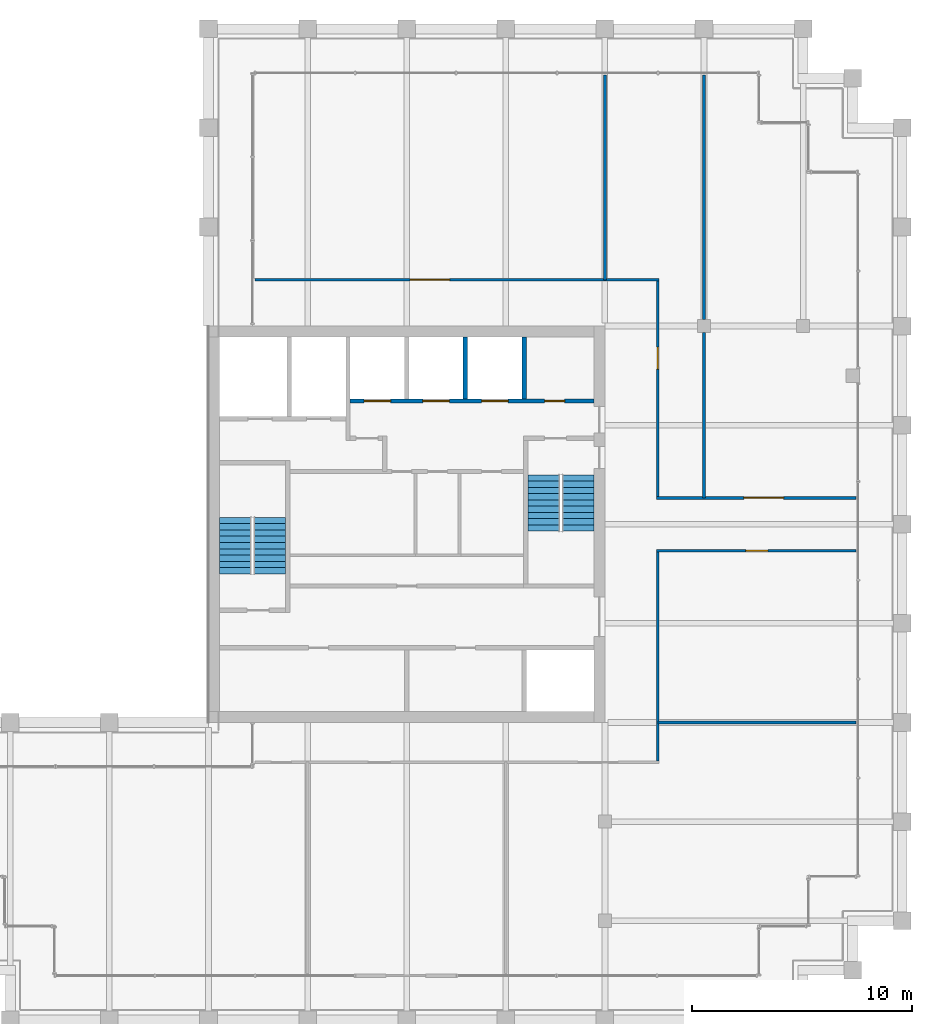
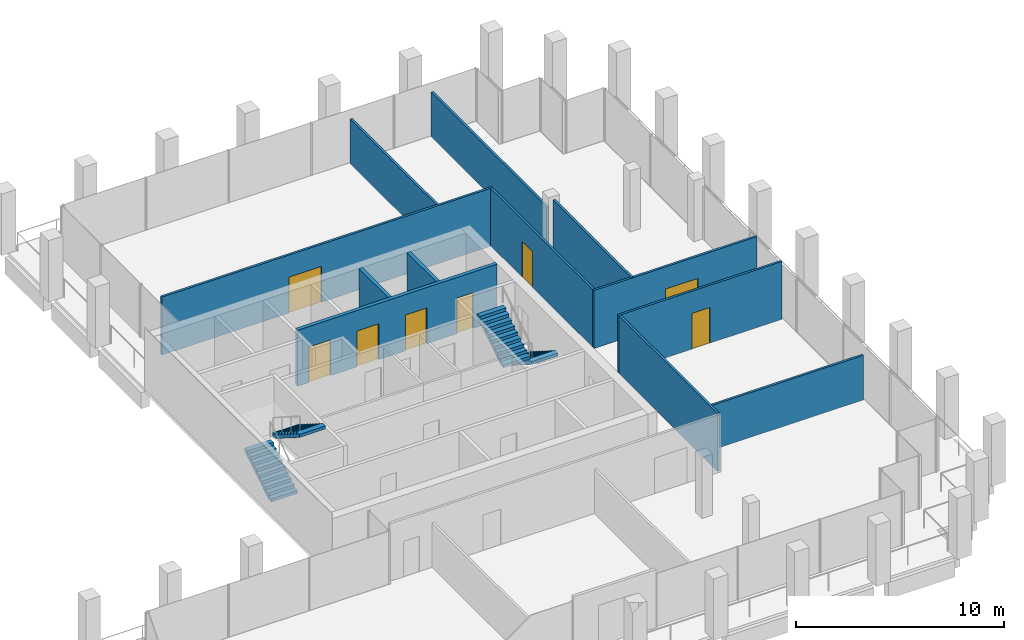
# One storey, part 29 of 30: 12 walls, 8 doors, 4 stair flights, 8 openings, 2 elements without a shape of their own.
"""IFC4 building model written with IfcOpenShell, lengths in metres."""

from ifc_helpers import new_model, si_unit, direction, frame, frame_2d, origin, place, context, subcontext, project, spatial, polyline, rectangle, outline, extrude, material, layer, layer_set, type_object, element, fill, aggregate, save


model = new_model("IFC4")

# Units and contexts
model_context = context("Model", 3, precision=1e-05, world=origin(), true_north=direction((0.0, 1.0)))
body_context = subcontext(model_context, "Body", "Model", "MODEL_VIEW")
ifc_project = project(units=[si_unit("LENGTHUNIT", "METRE"), si_unit("AREAUNIT", "SQUARE_METRE"), si_unit("VOLUMEUNIT", "CUBIC_METRE"), si_unit("PLANEANGLEUNIT", "RADIAN"), si_unit("MASSUNIT", "GRAM", prefix="KILO")], contexts=[model_context])

# Site, building, storey
site_placement = place(None, origin())
site = spatial("IfcSite", under=ifc_project, at=site_placement, CompositionType="ELEMENT")
building_placement = place(site_placement, origin())
building = spatial("IfcBuilding", under=site, at=building_placement, Name="Altepetl Exchange Towers", CompositionType="ELEMENT")
storey_placement = place(building_placement, frame((0.0, 0.0, 242.39990234375)))
storey = spatial("IfcBuildingStorey", under=building, at=storey_placement, Name="L62", CompositionType="ELEMENT", Elevation=242.39990234375)

# Wall
ifc_material_1 = material(Name="Gypsum board on steel studs", Category="steel")
ifc_layer_1 = layer(ifc_material_1, 0.125)
ifc_layer_set_1 = layer_set([ifc_layer_1], Name="Gypsum board on steel studs")
wall_type_1 = type_object("IfcWallType", Name="Partition 125 gypsum board on steel studs", PredefinedType="PARTITIONING", material=ifc_layer_set_1)
wall_1_placement = place(storey_placement, frame((60.89990234375, 40.5, 0.0)))
element("IfcWall", 1, at=wall_1_placement, inside=storey, type_object=wall_type_1, Name="wall:A:L62:P02", PredefinedType="PARTITIONING", context=body_context, shape_type="SweptSolid", body=[
    extrude(rectangle(XDim=9.0, YDim=0.125, at=frame_2d((4.5, 0.0))), origin(), (0.0, 0.0, 1.0), 2.6259765625),
])

# Wall, opening, door
wall_2_placement = place(storey_placement, frame((60.83740234375, 48.300048828125, 0.0)))
wall_2 = element("IfcWall", 2, at=wall_2_placement, inside=storey, type_object=wall_type_1, Name="wall:A:L62:P03", PredefinedType="PARTITIONING", context=body_context, shape_type="SweptSolid", body=[
    extrude(rectangle(XDim=9.0625, YDim=0.125, at=frame_2d((4.53125, 0.0))), origin(), (0.0, 0.0, 1.0), 3.400146484375),
])
opening_1_placement = place(wall_2_placement, frame((4.0625, 0.0, 0.0)))
opening_1 = element("IfcOpeningElement", 3, at=opening_1_placement, cuts=wall_2, Name="Opening L62.A04", PredefinedType="OPENING", context=body_context, shape_type="SweptSolid", body=[
    extrude(rectangle(XDim=1.0, YDim=2.10009765625, at=frame_2d((0.5, 1.050048828125))), frame((0.0, 0.072509765625, 0.0), z_axis=(0.0, -1.0, 0.0), x_axis=(1.0, 0.0, 0.0)), (0.0, 0.0, 1.0), 0.14501953125),
])
ifc_material_2 = material(Name="Steel and timber fire door", Category="steel")
door_type_1 = type_object("IfcDoorType", Name="Fire door 1000 x 2100 single leaf", OperationType="SINGLE_SWING_LEFT", PredefinedType="DOOR", material=ifc_material_2)
door_1_placement = place(opening_1_placement, frame((1.0, 0.0, 0.0), x_axis=(-1.0, 0.0, 0.0)))
door_1 = element("IfcDoor", 4, at=door_1_placement, inside=storey, type_object=door_type_1, Name="door:A:L62:04", OperationType="SINGLE_SWING_RIGHT", OverallHeight=2.10009765625, OverallWidth=1.0, PredefinedType="DOOR", context=body_context, shape_type="SweptSolid", body=[
    extrude(rectangle(XDim=1.0, YDim=2.10009765625, at=frame_2d((0.5, 1.050048828125))), frame((0.0, 0.02490234375, 0.0), z_axis=(0.0, -1.0, 0.0), x_axis=(1.0, 0.0, 0.0)), (0.0, 0.0, 1.0), 0.050048828125),
])
fill(opening_1, door_1)

wall_3_placement = place(storey_placement, frame((60.83740234375, 50.699951171875, 0.0)))
wall_3 = element("IfcWall", 5, at=wall_3_placement, inside=storey, type_object=wall_type_1, Name="wall:A:L62:P04", PredefinedType="PARTITIONING", context=body_context, shape_type="SweptSolid", body=[
    extrude(rectangle(XDim=9.0625, YDim=0.125, at=frame_2d((4.53125, 0.0))), origin(), (0.0, 0.0, 1.0), 3.400146484375),
])
opening_2_placement = place(wall_3_placement, frame((3.9775390625, 0.0, 0.0)))
opening_2 = element("IfcOpeningElement", 6, at=opening_2_placement, cuts=wall_3, Name="Opening L62.A05", PredefinedType="OPENING", context=body_context, shape_type="SweptSolid", body=[
    extrude(rectangle(XDim=1.800048828125, YDim=2.10009765625, at=frame_2d((0.89990234375, 1.050048828125))), frame((0.0, 0.072509765625, 0.0), z_axis=(0.0, -1.0, 0.0), x_axis=(1.0, 0.0, 0.0)), (0.0, 0.0, 1.0), 0.14501953125),
])
door_type_2 = type_object("IfcDoorType", Name="Fire door 1800 x 2100 double leaf", OperationType="DOUBLE_DOOR_SINGLE_SWING", PredefinedType="DOOR", material=ifc_material_2)
door_2_placement = place(opening_2_placement, origin())
door_2 = element("IfcDoor", 7, at=door_2_placement, inside=storey, type_object=door_type_2, Name="door:A:L62:05", OperationType="DOUBLE_DOOR_SINGLE_SWING", OverallHeight=2.10009765625, OverallWidth=1.800048828125, PredefinedType="DOOR", context=body_context, shape_type="SweptSolid", body=[
    extrude(rectangle(XDim=1.800048828125, YDim=2.10009765625, at=frame_2d((0.89990234375, 1.050048828125))), frame((0.0, 0.02490234375, 0.0), z_axis=(0.0, -1.0, 0.0), x_axis=(1.0, 0.0, 0.0)), (0.0, 0.0, 1.0), 0.050048828125),
])
fill(opening_2, door_2)

wall_4_placement = place(storey_placement, frame((42.60009765625, 60.60009765625, 0.0)))
wall_4 = element("IfcWall", 8, at=wall_4_placement, inside=storey, type_object=wall_type_1, Name="wall:A:L62:P05", PredefinedType="PARTITIONING", context=body_context, shape_type="SweptSolid", body=[
    extrude(rectangle(XDim=18.3623046875, YDim=0.125, at=frame_2d((9.18115234375, 0.0))), origin(), (0.0, 0.0, 1.0), 3.400146484375),
])
opening_3_placement = place(wall_4_placement, frame((7.050048828125, 0.0, 0.0)))
opening_3 = element("IfcOpeningElement", 9, at=opening_3_placement, cuts=wall_4, Name="Opening L62.A07", PredefinedType="OPENING", context=body_context, shape_type="SweptSolid", body=[
    extrude(rectangle(XDim=1.800048828125, YDim=2.10009765625, at=frame_2d((0.89990234375, 1.050048828125))), frame((0.0, 0.072509765625, 0.0), z_axis=(0.0, -1.0, 0.0), x_axis=(1.0, 0.0, 0.0)), (0.0, 0.0, 1.0), 0.14501953125),
])
door_3_placement = place(opening_3_placement, origin())
door_3 = element("IfcDoor", 10, at=door_3_placement, inside=storey, type_object=door_type_2, Name="door:A:L62:07", OperationType="DOUBLE_DOOR_SINGLE_SWING", OverallHeight=2.10009765625, OverallWidth=1.800048828125, PredefinedType="DOOR", context=body_context, shape_type="SweptSolid", body=[
    extrude(rectangle(XDim=1.800048828125, YDim=2.10009765625, at=frame_2d((0.89990234375, 1.050048828125))), frame((0.0, 0.02490234375, 0.0), z_axis=(0.0, -1.0, 0.0), x_axis=(1.0, 0.0, 0.0)), (0.0, 0.0, 1.0), 0.050048828125),
])
fill(opening_3, door_3)

# Walls
wall_5_placement = place(storey_placement, frame((58.5, 60.60009765625, 0.0), z_axis=(0.0, 0.0, 1.0), x_axis=(0.0, 1.0, 0.0)))
element("IfcWall", 11, at=wall_5_placement, inside=storey, type_object=wall_type_1, Name="wall:A:L62:P08", PredefinedType="PARTITIONING", context=body_context, shape_type="SweptSolid", body=[
    extrude(rectangle(XDim=9.2998046875, YDim=0.125, at=frame_2d((4.64990234375, 0.0))), origin(), (0.0, 0.0, 1.0), 2.6259765625),
])
wall_6_placement = place(storey_placement, frame((60.89990234375, 38.762451171875, 0.0), z_axis=(0.0, 0.0, 1.0), x_axis=(0.0, 1.0, 0.0)))
element("IfcWall", 12, at=wall_6_placement, inside=storey, type_object=wall_type_1, Name="wall:A:L62:P09", PredefinedType="PARTITIONING", context=body_context, shape_type="SweptSolid", body=[
    extrude(rectangle(XDim=9.47509765625, YDim=0.125, at=frame_2d((4.737548828125, 0.0))), origin(), (0.0, 0.0, 1.0), 3.400146484375),
])

# Wall, opening, door
wall_7_placement = place(storey_placement, frame((60.89990234375, 50.762451171875, 0.0), z_axis=(0.0, 0.0, 1.0), x_axis=(0.0, 1.0, 0.0)))
wall_7 = element("IfcWall", 13, at=wall_7_placement, inside=storey, type_object=wall_type_1, Name="wall:A:L62:P10", PredefinedType="PARTITIONING", context=body_context, shape_type="SweptSolid", body=[
    extrude(rectangle(XDim=9.775146484375, YDim=0.125, at=frame_2d((4.8876953125, 0.0))), origin(), (0.0, 0.0, 1.0), 3.400146484375),
])
opening_4_placement = place(wall_7_placement, frame((5.78759765625, 0.0, 0.0)))
opening_4 = element("IfcOpeningElement", 14, at=opening_4_placement, cuts=wall_7, Name="Opening L62.A06", PredefinedType="OPENING", context=body_context, shape_type="SweptSolid", body=[
    extrude(rectangle(XDim=1.0, YDim=2.10009765625, at=frame_2d((0.5, 1.050048828125))), frame((0.0, 0.072509765625, 0.0), z_axis=(0.0, -1.0, 0.0), x_axis=(1.0, 0.0, 0.0)), (0.0, 0.0, 1.0), 0.14501953125),
])
door_4_placement = place(opening_4_placement, frame((1.0, 0.0, 0.0), x_axis=(-1.0, 0.0, 0.0)))
door_4 = element("IfcDoor", 15, at=door_4_placement, inside=storey, type_object=door_type_1, Name="door:A:L62:06", OperationType="SINGLE_SWING_LEFT", OverallHeight=2.10009765625, OverallWidth=1.0, PredefinedType="DOOR", context=body_context, shape_type="SweptSolid", body=[
    extrude(rectangle(XDim=1.0, YDim=2.10009765625, at=frame_2d((0.5, 1.050048828125))), frame((0.0, 0.02490234375, 0.0), z_axis=(0.0, -1.0, 0.0), x_axis=(1.0, 0.0, 0.0)), (0.0, 0.0, 1.0), 0.050048828125),
])
fill(opening_4, door_4)

# Walls
wall_8_placement = place(storey_placement, frame((63.0, 50.699951171875, 0.0), z_axis=(0.0, 0.0, 1.0), x_axis=(0.0, 1.0, 0.0)))
element("IfcWall", 16, at=wall_8_placement, inside=storey, type_object=wall_type_1, Name="wall:A:L62:P11", PredefinedType="PARTITIONING", context=body_context, shape_type="SweptSolid", body=[
    extrude(rectangle(XDim=7.5, YDim=0.125, at=frame_2d((3.75, 0.0))), origin(), (0.0, 0.0, 1.0), 3.400146484375),
])
wall_9_placement = place(storey_placement, frame((63.0, 58.800048828125, 0.0), z_axis=(0.0, 0.0, 1.0), x_axis=(0.0, 1.0, 0.0)))
element("IfcWall", 17, at=wall_9_placement, inside=storey, type_object=wall_type_1, Name="wall:A:L62:P12", PredefinedType="PARTITIONING", context=body_context, shape_type="SweptSolid", body=[
    extrude(rectangle(XDim=11.099853515625, YDim=0.125, at=frame_2d((5.5498046875, 0.0))), origin(), (0.0, 0.0, 1.0), 2.6259765625),
])
ifc_material_3 = material(Name="Concrete C40/50", Category="concrete")
ifc_layer_2 = layer(ifc_material_3, 0.199951171875)
ifc_layer_set_2 = layer_set([ifc_layer_2], Name="Concrete C40/50")
wall_type_2 = type_object("IfcWallType", Name="Shaft wall 200 reinforced concrete", PredefinedType="SHEAR", material=ifc_layer_set_2)
for number, where, z_axis, x_axis, name in (
    (18, (52.166748046875, 58.0, 0.0), (0.0, 0.0, 1.0), (0.0, -1.0, 0.0), "wall:A:L62:K-divN4"),
    (19, (54.833251953125, 58.0, 0.0), (0.0, 0.0, 1.0), (0.0, -1.0, 0.0), "wall:A:L62:K-divN5"),
):
    element("IfcWall", number, at=place(storey_placement, frame(where, z_axis=z_axis, x_axis=x_axis)), inside=storey, type_object=wall_type_2, Name=name, PredefinedType="SHEAR", context=body_context, shape_type="SweptSolid", body=[
        extrude(rectangle(XDim=2.800048828125, YDim=0.199951171875, at=frame_2d((1.39990234375, 0.0))), origin(), (0.0, 0.0, 1.0), 3.300048828125),
    ])

# Wall, openings, doors
wall_10_placement = place(storey_placement, frame((46.933349609375, 55.10009765625, 0.0)))
wall_10 = element("IfcWall", 20, at=wall_10_placement, inside=storey, type_object=wall_type_2, Name="wall:A:L62:K-frontNb", PredefinedType="SHEAR", context=body_context, shape_type="SweptSolid", body=[
    extrude(rectangle(XDim=11.066650390625, YDim=0.199951171875, at=frame_2d((5.533203125, 0.0))), origin(), (0.0, 0.0, 1.0), 3.300048828125),
])
opening_5_placement = place(wall_10_placement, frame((8.83349609375, 0.0, 0.0)))
opening_5 = element("IfcOpeningElement", 21, at=opening_5_placement, cuts=wall_10, Name="Opening L62.A66", PredefinedType="OPENING", context=body_context, shape_type="SweptSolid", body=[
    extrude(rectangle(XDim=0.89990234375, YDim=2.10009765625, at=frame_2d((0.449951171875, 1.050048828125))), frame((0.0, 0.10986328125, 0.0), z_axis=(0.0, -1.0, 0.0), x_axis=(1.0, 0.0, 0.0)), (0.0, 0.0, 1.0), 0.219970703125),
])
opening_6_placement = place(wall_10_placement, frame((0.63330078125, 0.0, 0.0)))
opening_6 = element("IfcOpeningElement", 22, at=opening_6_placement, cuts=wall_10, Name="Opening L62.A75", PredefinedType="OPENING", context=body_context, shape_type="SweptSolid", body=[
    extrude(rectangle(XDim=1.199951171875, YDim=2.10009765625, at=frame_2d((0.60009765625, 1.050048828125))), frame((0.0, 0.10986328125, 0.0), z_axis=(0.0, -1.0, 0.0), x_axis=(1.0, 0.0, 0.0)), (0.0, 0.0, 1.0), 0.219970703125),
])
opening_7_placement = place(wall_10_placement, frame((3.300048828125, 0.0, 0.0)))
opening_7 = element("IfcOpeningElement", 23, at=opening_7_placement, cuts=wall_10, Name="Opening L62.A76", PredefinedType="OPENING", context=body_context, shape_type="SweptSolid", body=[
    extrude(rectangle(XDim=1.199951171875, YDim=2.10009765625, at=frame_2d((0.60009765625, 1.050048828125))), frame((0.0, 0.10986328125, 0.0), z_axis=(0.0, -1.0, 0.0), x_axis=(1.0, 0.0, 0.0)), (0.0, 0.0, 1.0), 0.219970703125),
])
opening_8_placement = place(wall_10_placement, frame((5.966796875, 0.0, 0.0)))
opening_8 = element("IfcOpeningElement", 24, at=opening_8_placement, cuts=wall_10, Name="Opening L62.A77", PredefinedType="OPENING", context=body_context, shape_type="SweptSolid", body=[
    extrude(rectangle(XDim=1.199951171875, YDim=2.10009765625, at=frame_2d((0.60009765625, 1.050048828125))), frame((0.0, 0.10986328125, 0.0), z_axis=(0.0, -1.0, 0.0), x_axis=(1.0, 0.0, 0.0)), (0.0, 0.0, 1.0), 0.219970703125),
])
door_type_3 = type_object("IfcDoorType", Name="Fire door 900 x 2100 service room", OperationType="SINGLE_SWING_LEFT", PredefinedType="DOOR", material=ifc_material_2)
door_5_placement = place(opening_5_placement, origin())
door_5 = element("IfcDoor", 25, at=door_5_placement, inside=storey, type_object=door_type_3, Name="door:A:L62:K-driser", OperationType="SINGLE_SWING_RIGHT", OverallHeight=2.10009765625, OverallWidth=0.89990234375, PredefinedType="DOOR", context=body_context, shape_type="SweptSolid", body=[
    extrude(rectangle(XDim=0.89990234375, YDim=2.10009765625, at=frame_2d((0.449951171875, 1.050048828125))), frame((0.0, 0.02490234375, 0.0), z_axis=(0.0, -1.0, 0.0), x_axis=(1.0, 0.0, 0.0)), (0.0, 0.0, 1.0), 0.050048828125),
])
fill(opening_5, door_5)
ifc_material_4 = material(Name="Stainless steel", Category="steel")
door_type_4 = type_object("IfcDoorType", Name="Lift landing door 1200 x 2100", OperationType="SLIDING_TO_LEFT", PredefinedType="DOOR", material=ifc_material_4)
door_6_placement = place(opening_6_placement, origin())
door_6 = element("IfcDoor", 26, at=door_6_placement, inside=storey, type_object=door_type_4, Name="Landing door P5", OperationType="SLIDING_TO_LEFT", OverallHeight=2.10009765625, OverallWidth=1.199951171875, PredefinedType="DOOR", context=body_context, shape_type="SweptSolid", body=[
    extrude(rectangle(XDim=1.199951171875, YDim=2.10009765625, at=frame_2d((0.60009765625, 1.050048828125))), frame((0.0, 0.02490234375, 0.0), z_axis=(0.0, -1.0, 0.0), x_axis=(1.0, 0.0, 0.0)), (0.0, 0.0, 1.0), 0.050048828125),
])
fill(opening_6, door_6)
door_7_placement = place(opening_7_placement, origin())
door_7 = element("IfcDoor", 27, at=door_7_placement, inside=storey, type_object=door_type_4, Name="Landing door P6", OperationType="SLIDING_TO_LEFT", OverallHeight=2.10009765625, OverallWidth=1.199951171875, PredefinedType="DOOR", context=body_context, shape_type="SweptSolid", body=[
    extrude(rectangle(XDim=1.199951171875, YDim=2.10009765625, at=frame_2d((0.60009765625, 1.050048828125))), frame((0.0, 0.02490234375, 0.0), z_axis=(0.0, -1.0, 0.0), x_axis=(1.0, 0.0, 0.0)), (0.0, 0.0, 1.0), 0.050048828125),
])
fill(opening_7, door_7)
door_8_placement = place(opening_8_placement, origin())
door_8 = element("IfcDoor", 28, at=door_8_placement, inside=storey, type_object=door_type_4, Name="Landing door P7", OperationType="SLIDING_TO_LEFT", OverallHeight=2.10009765625, OverallWidth=1.199951171875, PredefinedType="DOOR", context=body_context, shape_type="SweptSolid", body=[
    extrude(rectangle(XDim=1.199951171875, YDim=2.10009765625, at=frame_2d((0.60009765625, 1.050048828125))), frame((0.0, 0.02490234375, 0.0), z_axis=(0.0, -1.0, 0.0), x_axis=(1.0, 0.0, 0.0)), (0.0, 0.0, 1.0), 0.050048828125),
])
fill(opening_8, door_8)

# Stair, stair flights
stair_type = type_object("IfcStairType", Name="Exit stair 1450 flights dogleg", PredefinedType="HALF_TURN_STAIR", material=ifc_material_3)
stair_1_placement = place(storey_placement, origin())
stair_1 = element("IfcStair", 29, at=stair_1_placement, inside=storey, type_object=stair_type, Name="Exit stair 1", PredefinedType="HALF_TURN_STAIR")
stair_flight_type = type_object("IfcStairFlightType", Name="Stair flight 1450 wide", PredefinedType="STRAIGHT", material=ifc_material_3)
stair_flight_1_placement = place(storey_placement, frame((41.72509765625, 47.25, 0.0), z_axis=(0.0, 0.0, 1.0), x_axis=(0.0, 1.0, 0.0)))
stair_flight_1 = element("IfcStairFlight", 30, at=stair_flight_1_placement, type_object=stair_flight_type, Name="ST-A1f flight 1", NumberOfRisers=10, NumberOfTreads=9, PredefinedType="STRAIGHT", RiserHeight=0.18, TreadLength=0.285, context=body_context, shape_type="SweptSolid", body=[
    extrude(outline(polyline([(0.0, 0.0), (0.0, 0.179931640625), (0.284912109375, 0.179931640625), (0.284912109375, 0.360107421875), (0.570068359375, 0.360107421875), (0.570068359375, 0.5400390625), (0.85498046875, 0.5400390625), (0.85498046875, 0.719970703125), (1.139892578125, 0.719970703125), (1.139892578125, 0.89990234375), (1.425048828125, 0.89990234375), (1.425048828125, 1.080078125), (1.7099609375, 1.080078125), (1.7099609375, 1.260009765625), (1.9951171875, 1.260009765625), (1.9951171875, 1.43994140625), (2.280029296875, 1.43994140625), (2.280029296875, 1.6201171875), (2.56494140625, 1.6201171875), (2.56494140625, 1.800048828125), (2.56494140625, 1.442626953125), (0.28076171875, 0.0), (0.0, 0.0)])), frame((0.0, 0.72509765625, 0.0), z_axis=(0.0, -1.0, 0.0), x_axis=(1.0, 0.0, 0.0)), (0.0, 0.0, 1.0), 1.449951171875),
])
stair_flight_2_placement = place(storey_placement, frame((43.27490234375, 49.81494140625, 1.800048828125), z_axis=(0.0, 0.0, 1.0), x_axis=(0.0, -1.0, 0.0)))
stair_flight_2 = element("IfcStairFlight", 31, at=stair_flight_2_placement, type_object=stair_flight_type, Name="ST-A1f flight 2", NumberOfRisers=10, NumberOfTreads=9, PredefinedType="STRAIGHT", RiserHeight=0.18, TreadLength=0.285, context=body_context, shape_type="SweptSolid", body=[
    extrude(outline(polyline([(0.0, 0.0), (0.0, 0.179931640625), (0.284912109375, 0.179931640625), (0.284912109375, 0.360107421875), (0.570068359375, 0.360107421875), (0.570068359375, 0.5400390625), (0.85498046875, 0.5400390625), (0.85498046875, 0.719970703125), (1.139892578125, 0.719970703125), (1.139892578125, 0.89990234375), (1.425048828125, 0.89990234375), (1.425048828125, 1.080078125), (1.7099609375, 1.080078125), (1.7099609375, 1.260009765625), (1.9951171875, 1.260009765625), (1.9951171875, 1.43994140625), (2.280029296875, 1.43994140625), (2.280029296875, 1.6201171875), (2.56494140625, 1.6201171875), (2.56494140625, 1.800048828125), (2.56494140625, 1.442626953125), (0.28076171875, 0.0), (0.0, 0.0)])), frame((0.0, 0.72509765625, 0.0), z_axis=(0.0, -1.0, 0.0), x_axis=(1.0, 0.0, 0.0)), (0.0, 0.0, 1.0), 1.449951171875),
])
aggregate(stair_1, [stair_flight_1, stair_flight_2])

stair_2_placement = place(storey_placement, origin())
stair_2 = element("IfcStair", 32, at=stair_2_placement, inside=storey, type_object=stair_type, Name="Exit stair 2", PredefinedType="HALF_TURN_STAIR")
stair_flight_3_placement = place(storey_placement, frame((57.27490234375, 51.75, 0.0), z_axis=(0.0, 0.0, 1.0), x_axis=(0.0, -1.0, 0.0)))
stair_flight_3 = element("IfcStairFlight", 33, at=stair_flight_3_placement, type_object=stair_flight_type, Name="ST-A2f flight 1", NumberOfRisers=10, NumberOfTreads=9, PredefinedType="STRAIGHT", RiserHeight=0.18, TreadLength=0.285, context=body_context, shape_type="SweptSolid", body=[
    extrude(outline(polyline([(0.0, 0.0), (0.0, 0.179931640625), (0.284912109375, 0.179931640625), (0.284912109375, 0.360107421875), (0.570068359375, 0.360107421875), (0.570068359375, 0.5400390625), (0.85498046875, 0.5400390625), (0.85498046875, 0.719970703125), (1.139892578125, 0.719970703125), (1.139892578125, 0.89990234375), (1.425048828125, 0.89990234375), (1.425048828125, 1.080078125), (1.7099609375, 1.080078125), (1.7099609375, 1.260009765625), (1.9951171875, 1.260009765625), (1.9951171875, 1.43994140625), (2.280029296875, 1.43994140625), (2.280029296875, 1.6201171875), (2.56494140625, 1.6201171875), (2.56494140625, 1.800048828125), (2.56494140625, 1.442626953125), (0.28076171875, 0.0), (0.0, 0.0)])), frame((0.0, 0.72509765625, 0.0), z_axis=(0.0, -1.0, 0.0), x_axis=(1.0, 0.0, 0.0)), (0.0, 0.0, 1.0), 1.449951171875),
])
stair_flight_4_placement = place(storey_placement, frame((55.72509765625, 49.18505859375, 1.800048828125), z_axis=(0.0, 0.0, 1.0), x_axis=(0.0, 1.0, 0.0)))
stair_flight_4 = element("IfcStairFlight", 34, at=stair_flight_4_placement, type_object=stair_flight_type, Name="ST-A2f flight 2", NumberOfRisers=10, NumberOfTreads=9, PredefinedType="STRAIGHT", RiserHeight=0.18, TreadLength=0.285, context=body_context, shape_type="SweptSolid", body=[
    extrude(outline(polyline([(0.0, 0.0), (0.0, 0.179931640625), (0.284912109375, 0.179931640625), (0.284912109375, 0.360107421875), (0.570068359375, 0.360107421875), (0.570068359375, 0.5400390625), (0.85498046875, 0.5400390625), (0.85498046875, 0.719970703125), (1.139892578125, 0.719970703125), (1.139892578125, 0.89990234375), (1.425048828125, 0.89990234375), (1.425048828125, 1.080078125), (1.7099609375, 1.080078125), (1.7099609375, 1.260009765625), (1.9951171875, 1.260009765625), (1.9951171875, 1.43994140625), (2.280029296875, 1.43994140625), (2.280029296875, 1.6201171875), (2.56494140625, 1.6201171875), (2.56494140625, 1.800048828125), (2.56494140625, 1.442626953125), (0.28076171875, 0.0), (0.0, 0.0)])), frame((0.0, 0.72509765625, 0.0), z_axis=(0.0, -1.0, 0.0), x_axis=(1.0, 0.0, 0.0)), (0.0, 0.0, 1.0), 1.449951171875),
])
aggregate(stair_2, [stair_flight_3, stair_flight_4])

save(model, "model.ifc")
